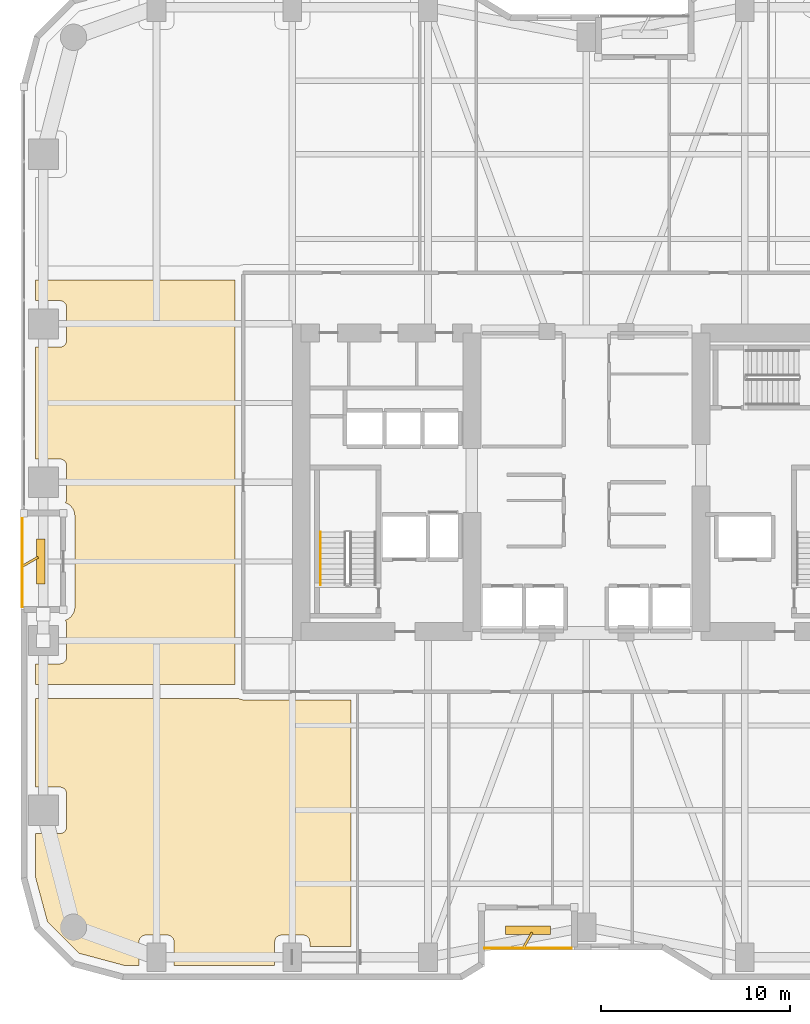
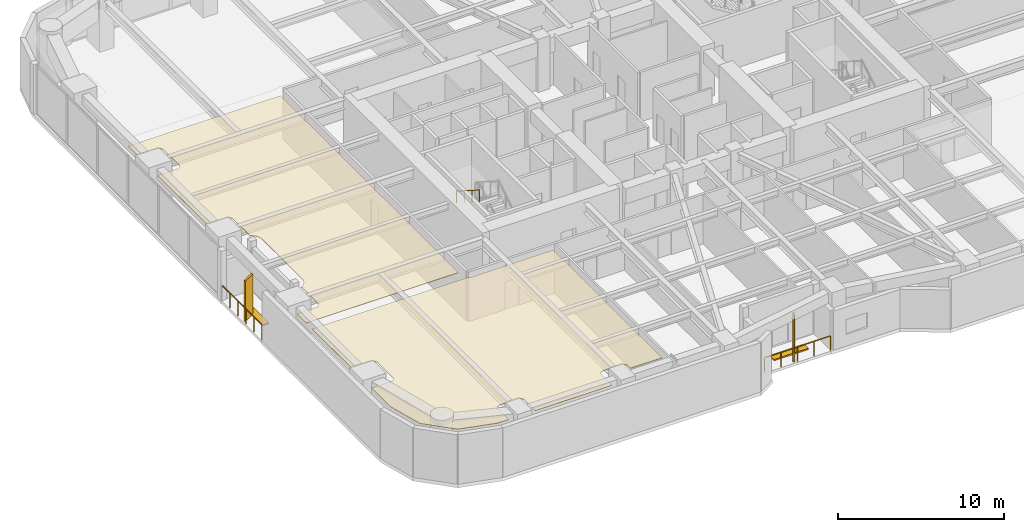
# One storey, part 26 of 29: 4 shading devices, 3 railings, 2 coverings.
"""IFC4 building model written with IfcOpenShell, lengths in metres."""

from ifc_helpers import new_model, si_unit, direction, frame, origin, origin_2d, place, context, subcontext, project, spatial, polyline, rectangle, outline, extrude, material, layer, layer_set, type_object, element, save


model = new_model("IFC4")

# Units and contexts
model_context = context("Model", 3, precision=1e-05, world=origin(), true_north=direction((0.0, 1.0)))
body_context = subcontext(model_context, "Body", "Model", "MODEL_VIEW")
ifc_project = project(units=[si_unit("LENGTHUNIT", "METRE"), si_unit("AREAUNIT", "SQUARE_METRE"), si_unit("VOLUMEUNIT", "CUBIC_METRE"), si_unit("PLANEANGLEUNIT", "RADIAN"), si_unit("MASSUNIT", "GRAM", prefix="KILO")], contexts=[model_context])

# Site, building, storey
site_placement = place(None, origin())
site = spatial("IfcSite", under=ifc_project, at=site_placement, CompositionType="ELEMENT")
building_placement = place(site_placement, origin())
building = spatial("IfcBuilding", under=site, at=building_placement, Name="Kiyonajd Concourse Tower", CompositionType="ELEMENT")
storey_placement = place(building_placement, frame((0.0, 0.0, 52.800048828125)))
storey = spatial("IfcBuildingStorey", under=building, at=storey_placement, Name="L14", CompositionType="ELEMENT", Elevation=52.800048828125)

# Coverings
ifc_material_1 = material(Name="Natural Oak Acoustic Timber Veneer", Category="wood")
ifc_layer = layer(ifc_material_1, 0.0400390625)
ifc_layer_set = layer_set([ifc_layer], Name="Natural Oak Acoustic Timber Veneer")
covering_type = type_object("IfcCoveringType", Name="CV-CLG-ACST", PredefinedType="CEILING", material=ifc_layer_set)
covering_1_placement = place(storey_placement, frame((0.0, 0.0, 3.4599609375)))
element("IfcCovering", 1, at=covering_1_placement, inside=storey, type_object=covering_type, Name="L14-39 Room Acoustic Ceiling", PredefinedType="CEILING", context=body_context, shape_type="SweptSolid", body=[
    extrude(outline(polyline([(19.4140625, 12.697998046875), (18.77001953125, 15.10107421875), (18.77001953125, 17.3701171875), (20.114013671875, 17.3720703125), (20.181884765625, 17.385009765625), (20.2451171875, 17.410888671875), (20.302001953125, 17.448974609375), (20.35107421875, 17.498046875), (20.388916015625, 17.554931640625), (20.4150390625, 17.617919921875), (20.429931640625, 17.719970703125), (20.427978515625, 19.513916015625), (20.403076171875, 19.614013671875), (20.35107421875, 19.701904296875), (20.302001953125, 19.7509765625), (20.2451171875, 19.7890625), (20.14794921875, 19.822998046875), (20.080078125, 19.830078125), (18.77001953125, 19.830078125), (18.77001953125, 24.5400390625), (29.552001953125, 24.5400390625), (29.60693359375, 24.506103515625), (29.669921875, 24.47998046875), (29.800048828125, 24.4599609375), (35.510009765625, 24.4599609375), (35.510009765625, 11.3701171875), (33.330078125, 11.3701171875), (33.327880859375, 11.6640625), (33.302978515625, 11.763916015625), (33.27099609375, 11.823974609375), (33.22705078125, 11.876953125), (33.174072265625, 11.9208984375), (33.114013671875, 11.952880859375), (33.048095703125, 11.972900390625), (32.97998046875, 11.97998046875), (31.785888671875, 11.97802734375), (31.68603515625, 11.952880859375), (31.597900390625, 11.90087890625), (31.549072265625, 11.85205078125), (31.510986328125, 11.794921875), (31.47705078125, 11.697998046875), (31.469970703125, 11.6298828125), (31.469970703125, 10.3701171875), (26.1298828125, 10.3701171875), (26.1279296875, 11.6640625), (26.114990234375, 11.73193359375), (26.089111328125, 11.794921875), (26.027099609375, 11.876953125), (25.945068359375, 11.93896484375), (25.882080078125, 11.965087890625), (25.81396484375, 11.97802734375), (24.5859375, 11.97802734375), (24.486083984375, 11.952880859375), (24.39794921875, 11.90087890625), (24.34912109375, 11.85205078125), (24.31103515625, 11.794921875), (24.277099609375, 11.697998046875), (24.27001953125, 11.6298828125), (24.27001953125, 10.3701171875), (23.5009765625, 10.3701171875), (21.097900390625, 11.013916015625), (19.4140625, 12.697998046875)])), origin(), (0.0, 0.0, 1.0), 0.0400390625),
])
covering_2_placement = place(storey_placement, frame((0.0, 0.0, 3.4599609375)))
element("IfcCovering", 2, at=covering_2_placement, inside=storey, type_object=covering_type, Name="L14-52 Room Acoustic Ceiling", PredefinedType="CEILING", context=body_context, shape_type="SweptSolid", body=[
    extrude(outline(polyline([(20.367919921875, 28.678955078125), (20.450927734375, 28.715087890625), (20.580078125, 28.798095703125), (20.656982421875, 28.867919921875), (20.7080078125, 28.927978515625), (20.757080078125, 29.0), (20.80810546875, 29.095947265625), (20.842041015625, 29.193115234375), (20.864013671875, 29.30810546875), (20.8701171875, 34.199951171875), (20.860107421875, 34.31591796875), (20.842041015625, 34.406982421875), (20.80810546875, 34.50390625), (20.757080078125, 34.60009765625), (20.68505859375, 34.700927734375), (20.60107421875, 34.784912109375), (20.5390625, 34.83203125), (20.367919921875, 34.9208984375), (20.4150390625, 35.01806640625), (20.429931640625, 35.1201171875), (20.429931640625, 36.8798828125), (20.4150390625, 36.98193359375), (20.37109375, 37.073974609375), (20.302001953125, 37.15087890625), (20.2451171875, 37.18896484375), (20.181884765625, 37.215087890625), (20.114013671875, 37.22802734375), (18.77001953125, 37.22998046875), (18.77001953125, 43.169921875), (20.114013671875, 43.172119140625), (20.181884765625, 43.18505859375), (20.2451171875, 43.2109375), (20.302001953125, 43.2490234375), (20.35107421875, 43.298095703125), (20.388916015625, 43.35498046875), (20.4150390625, 43.41796875), (20.429931640625, 43.52001953125), (20.427978515625, 45.31396484375), (20.403076171875, 45.4140625), (20.35107421875, 45.501953125), (20.302001953125, 45.551025390625), (20.2451171875, 45.589111328125), (20.14794921875, 45.623046875), (20.080078125, 45.6298828125), (18.77001953125, 45.6298828125), (18.77001953125, 46.739990234375), (29.3701171875, 46.739990234375), (29.3701171875, 25.260009765625), (18.77001953125, 25.260009765625), (18.77001953125, 26.3701171875), (20.114013671875, 26.3720703125), (20.214111328125, 26.39697265625), (20.302001953125, 26.448974609375), (20.35107421875, 26.498046875), (20.403076171875, 26.5859375), (20.423095703125, 26.652099609375), (20.429931640625, 26.719970703125), (20.429931640625, 28.47998046875), (20.4150390625, 28.58203125), (20.367919921875, 28.678955078125)])), origin(), (0.0, 0.0, 1.0), 0.0400390625),
])

# Railings
ifc_material_2 = material(Name="Thermally Broken Anodised Aluminium", Category="aluminium")
railing_type_1 = type_object("IfcRailingType", Name="RL-GRD-LOG", PredefinedType="GUARDRAIL", material=ifc_material_2)
railing_1_placement = place(storey_placement, frame((42.60009765625, 11.280029296875, 0.0)))
element("IfcRailing", 3, at=railing_1_placement, inside=storey, type_object=railing_type_1, Name="L14 Engawa Loggia Perimeter Guard LOG-S", PredefinedType="GUARDRAIL", context=body_context, shape_type="SweptSolid", body=[
    extrude(rectangle(XDim=0.048095703125, YDim=0.048095703125, at=origin_2d()), frame((0.0, 0.0, 1.076171875), z_axis=(1.0, 0.0, 0.0), x_axis=(0.0, 1.0, 0.0)), (0.0, 0.0, 1.0), 4.599853515625),
    extrude(rectangle(XDim=0.0419921875, YDim=0.0419921875, at=origin_2d()), origin(), (0.0, 0.0, 1.0), 1.052001953125),
    extrude(rectangle(XDim=0.0419921875, YDim=0.0419921875, at=origin_2d()), frame((1.14990234375, 0.0, 0.0)), (0.0, 0.0, 1.0), 1.052001953125),
    extrude(rectangle(XDim=0.0419921875, YDim=0.0419921875, at=origin_2d()), frame((2.2998046875, 0.0, 0.0)), (0.0, 0.0, 1.0), 1.052001953125),
    extrude(rectangle(XDim=0.0419921875, YDim=0.0419921875, at=origin_2d()), frame((3.449951171875, 0.0, 0.0)), (0.0, 0.0, 1.0), 1.052001953125),
    extrude(rectangle(XDim=0.0419921875, YDim=0.0419921875, at=origin_2d()), frame((4.599853515625, 0.0, 0.0)), (0.0, 0.0, 1.0), 1.052001953125),
])
railing_2_placement = place(storey_placement, frame((18.080078125, 34.199951171875, 0.0)))
element("IfcRailing", 4, at=railing_2_placement, inside=storey, type_object=railing_type_1, Name="L14 Engawa Loggia Perimeter Guard LOG-W", PredefinedType="GUARDRAIL", context=body_context, shape_type="SweptSolid", body=[
    extrude(rectangle(XDim=0.048095703125, YDim=0.048095703125, at=origin_2d()), frame((0.0, 0.0, 1.076171875), z_axis=(0.0, -1.0, 0.0), x_axis=(1.0, 0.0, 0.0)), (0.0, 0.0, 1.0), 4.800048828125),
    extrude(rectangle(XDim=0.0419921875, YDim=0.0419921875, at=origin_2d()), origin(), (0.0, 0.0, 1.0), 1.052001953125),
    extrude(rectangle(XDim=0.0419921875, YDim=0.0419921875, at=origin_2d()), frame((0.0, -0.9599609375, 0.0)), (0.0, 0.0, 1.0), 1.052001953125),
    extrude(rectangle(XDim=0.0419921875, YDim=0.0419921875, at=origin_2d()), frame((0.0, -1.919921875, 0.0)), (0.0, 0.0, 1.0), 1.052001953125),
    extrude(rectangle(XDim=0.0419921875, YDim=0.0419921875, at=origin_2d()), frame((0.0, -2.880126953125, 0.0)), (0.0, 0.0, 1.0), 1.052001953125),
    extrude(rectangle(XDim=0.0419921875, YDim=0.0419921875, at=origin_2d()), frame((0.0, -3.840087890625, 0.0)), (0.0, 0.0, 1.0), 1.052001953125),
    extrude(rectangle(XDim=0.0419921875, YDim=0.0419921875, at=origin_2d()), frame((0.0, -4.800048828125, 0.0)), (0.0, 0.0, 1.0), 1.052001953125),
])
ifc_material_3 = material(Name="Brushed Stainless Steel Cab Assembly", Category="steel")
railing_type_2 = type_object("IfcRailingType", Name="RL-HND-900", PredefinedType="HANDRAIL", material=ifc_material_3)
railing_3_placement = place(storey_placement, frame((33.89990234375, 33.35009765625, 2.127197265625)))
element("IfcRailing", 5, at=railing_3_placement, inside=storey, type_object=railing_type_2, Name="L14 ST1 stair handrail 2", PredefinedType="HANDRAIL", context=body_context, shape_type="SweptSolid", body=[
    extrude(rectangle(XDim=0.048095703125, YDim=0.048095703125, at=origin_2d()), frame((0.0, 0.0, 0.8759765625), z_axis=(0.0, -0.844908973607, 0.534910110503), x_axis=(1.0, 0.0, 0.0)), (0.0, 0.0, 1.0), 3.31396484375),
    extrude(rectangle(XDim=0.0419921875, YDim=0.0419921875, at=origin_2d()), origin(), (0.0, 0.0, 1.0), 0.851806640625),
    extrude(rectangle(XDim=0.0419921875, YDim=0.0419921875, at=origin_2d()), frame((0.0, -0.933349609375, 0.5908203125)), (0.0, 0.0, 1.0), 0.851806640625),
    extrude(rectangle(XDim=0.0419921875, YDim=0.0419921875, at=origin_2d()), frame((0.0, -1.86669921875, 1.181884765625)), (0.0, 0.0, 1.0), 0.851806640625),
    extrude(rectangle(XDim=0.0419921875, YDim=0.0419921875, at=origin_2d()), frame((0.0, -2.800048828125, 1.772705078125)), (0.0, 0.0, 1.0), 0.851806640625),
])

# Shading devices
ifc_material_4 = material(Name="Precast concrete C50/60", Category="concrete")
shading_device_type_1 = type_object("IfcShadingDeviceType", Name="SH-FIN-900", PredefinedType="USERDEFINED", material=ifc_material_4)
for number, where, z_axis, x_axis, name in (
    (6, (44.89990234375, 11.72998046875, 0.0), (0.0, 0.0, 1.0), (0.5, 0.866025403784, 0.0), "L14 Angled Koshi Solar Fin LOG-S"),
    (7, (18.530029296875, 31.800048828125, 0.0), (0.0, 0.0, 1.0), (0.866025403784, 0.5, 0.0), "L14 Angled Koshi Solar Fin LOG-W"),
):
    element("IfcShadingDevice", number, at=place(storey_placement, frame(where, z_axis=z_axis, x_axis=x_axis)), inside=storey, type_object=shading_device_type_1, Name=name, ObjectType="FIN", PredefinedType="USERDEFINED", context=body_context, shape_type="SweptSolid", body=[
        extrude(rectangle(XDim=0.89990234375, YDim=0.1201171875, at=origin_2d()), origin(), (0.0, 0.0, 1.0), 3.0),
    ])
shading_device_type_2 = type_object("IfcShadingDeviceType", Name="SH-LVR-600", PredefinedType="JALOUSIE", material=ifc_material_2)
for number, where, z_axis, x_axis, name in (
    (8, (44.89990234375, 12.25, 0.0), (0.0, 0.0, 1.0), (1.0, 0.0, 0.0), "L14 Loggia Threshold Louver LOG-S"),
    (9, (19.050048828125, 31.800048828125, 0.0), (0.0, 0.0, 1.0), (0.0, 1.0, 0.0), "L14 Loggia Threshold Louver LOG-W"),
):
    element("IfcShadingDevice", number, at=place(storey_placement, frame(where, z_axis=z_axis, x_axis=x_axis)), inside=storey, type_object=shading_device_type_2, Name=name, PredefinedType="JALOUSIE", context=body_context, shape_type="SweptSolid", body=[
        extrude(rectangle(XDim=2.39990234375, YDim=0.449951171875, at=origin_2d()), origin(), (0.0, 0.0, 1.0), 0.10009765625),
    ])

save(model, "model.ifc")
